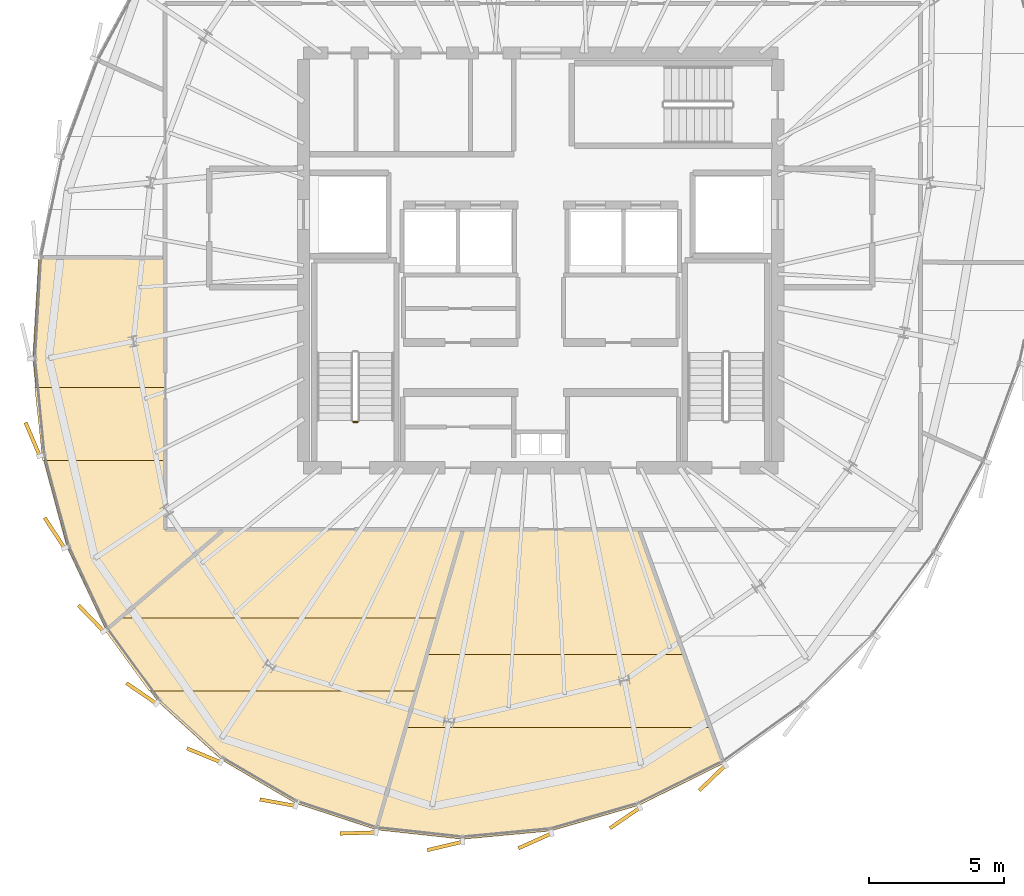
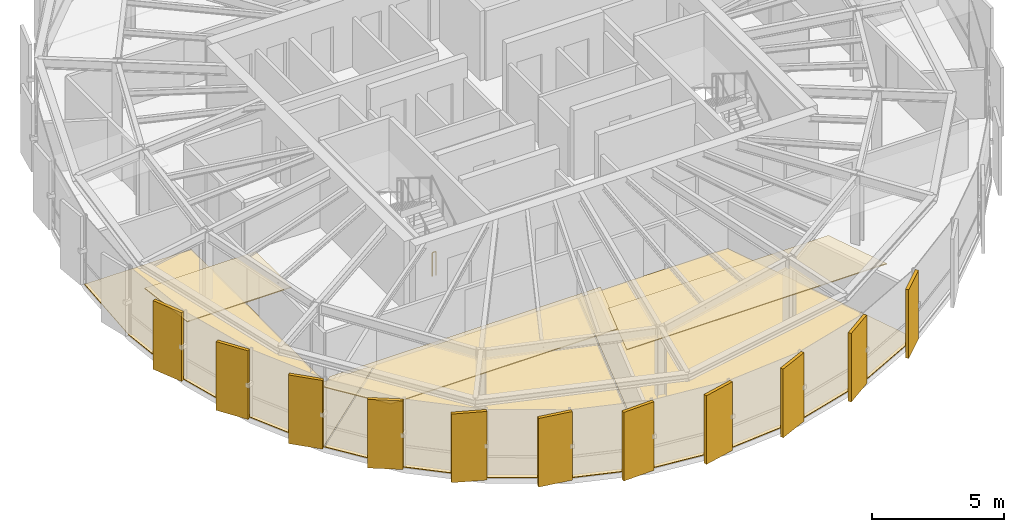
# One storey, part 27 of 30: 17 coverings, 1 railing.
"""IFC4 building model written with IfcOpenShell, lengths in metres."""

from ifc_helpers import new_model, si_unit, direction, frame, origin, origin_2d, place, context, subcontext, project, spatial, polyline, rectangle, circle, outline, extrude, source, transform, mapped, material, layer, layer_set, type_object, element, save


model = new_model("IFC4")

# Units and contexts
model_context = context("Model", 3, precision=1e-05, world=origin(), true_north=direction((0.0, 1.0)))
body_context = subcontext(model_context, "Body", "Model", "MODEL_VIEW")
ifc_project = project(units=[si_unit("LENGTHUNIT", "METRE"), si_unit("AREAUNIT", "SQUARE_METRE"), si_unit("VOLUMEUNIT", "CUBIC_METRE"), si_unit("PLANEANGLEUNIT", "RADIAN"), si_unit("MASSUNIT", "GRAM", prefix="KILO"), si_unit("THERMODYNAMICTEMPERATUREUNIT", "KELVIN")], contexts=[model_context])

# Site, building, storey
site_placement = place(None, origin())
site = spatial("IfcSite", under=ifc_project, at=site_placement, CompositionType="ELEMENT")
building_placement = place(site_placement, origin())
building = spatial("IfcBuilding", under=site, at=building_placement, Name="Kethvar Cultural Tower", CompositionType="ELEMENT")
storey_placement = place(building_placement, frame((0.0, 0.0, 297.39990234375)))
storey = spatial("IfcBuildingStorey", under=building, at=storey_placement, Name="L79", CompositionType="ELEMENT", Elevation=297.39990234375)

# Coverings
ifc_material_1 = material(Name="Acoustic Mineral Fibre Ceiling")
ifc_layer_1 = layer(ifc_material_1, 0.0400390625, Name="Acoustic Mineral Fibre Ceiling")
ifc_layer_set_1 = layer_set([ifc_layer_1], Name="Acoustic Mineral Fibre Ceiling (40 mm)")
covering_type_1 = type_object("IfcCoveringType", Name="CV-ACOUSTIC-CEIL", PredefinedType="CEILING", material=ifc_layer_set_1)
covering_1_placement = place(storey_placement, frame((0.0, 0.0, 2.780029296875)))
element("IfcCovering", 1, at=covering_1_placement, inside=storey, type_object=covering_type_1, Name="L79 Room 01 Acoustic Ceiling Panel", PredefinedType="CEILING", context=body_context, shape_type="SweptSolid", body=[
    extrude(outline(polyline([(30.63427734375, 14.0576171875), (31.15771484375, 14.52685546875), (42.99609375, 14.52685546875), (42.215087890625, 11.81689453125), (32.266357421875, 11.81689453125), (30.63427734375, 14.0576171875)])), origin(), (0.0, 0.0, 1.0), 0.0400390625),
])
covering_2_placement = place(storey_placement, frame((0.0, 0.0, 2.780029296875)))
element("IfcCovering", 2, at=covering_2_placement, inside=storey, type_object=covering_type_1, Name="L79 Room 02 Acoustic Ceiling Panel", PredefinedType="CEILING", context=body_context, shape_type="SweptSolid", body=[
    extrude(outline(polyline([(42.561279296875, 13.1630859375), (52.158203125, 13.1630859375), (53.146240234375, 10.453125), (41.780517578125, 10.453125), (42.561279296875, 13.1630859375)])), origin(), (0.0, 0.0, 1.0), 0.0400390625),
])
covering_3_placement = place(storey_placement, frame((0.0, 0.0, 2.780029296875)))
element("IfcCovering", 3, at=covering_3_placement, inside=storey, type_object=covering_type_1, Name="L79 Room 11 Acoustic Ceiling Panel", PredefinedType="CEILING", context=body_context, shape_type="SweptSolid", body=[
    extrude(outline(polyline([(28.314208984375, 20.370849609375), (28.01953125, 23.080810546875), (32.8701171875, 23.080810546875), (32.8701171875, 20.370849609375), (28.314208984375, 20.370849609375)])), origin(), (0.0, 0.0, 1.0), 0.0400390625),
])
ifc_material_2 = material(Name="Honed Warm Limestone", Category="masonry")
ifc_layer_2 = layer(ifc_material_2, 0.030029296875, Name="Honed Warm Limestone", Category="masonry")
ifc_layer_set_2 = layer_set([ifc_layer_2], Name="Honed Warm Limestone (30 mm)")
covering_type_2 = type_object("IfcCoveringType", Name="CV-STONE-FLOOR", PredefinedType="FLOORING", material=ifc_layer_set_2)
covering_4_placement = place(storey_placement, origin())
element("IfcCovering", 4, at=covering_4_placement, inside=storey, type_object=covering_type_2, Name="L79 Room 01 Floor Finish", PredefinedType="FLOORING", context=body_context, shape_type="SweptSolid", body=[
    extrude(outline(polyline([(37.703857421875, 7.654296875), (34.975341796875, 9.254638671875), (32.606201171875, 11.418212890625), (30.677490234375, 14.066162109375), (35.053955078125, 17.787109375), (43.893798828125, 17.787109375), (40.69091796875, 6.671875), (37.703857421875, 7.654296875)])), origin(), (0.0, 0.0, 1.0), 0.030029296875),
])
covering_5_placement = place(storey_placement, origin())
element("IfcCovering", 5, at=covering_5_placement, inside=storey, type_object=covering_type_2, Name="L79 Room 02 Floor Finish", PredefinedType="FLOORING", context=body_context, shape_type="SweptSolid", body=[
    extrude(outline(polyline([(50.443603515625, 7.57470703125), (47.176513671875, 6.62548828125), (43.8984375, 6.319580078125), (40.72998046875, 6.66357421875), (43.935546875, 17.787109375), (50.4296875, 17.787109375), (53.585693359375, 9.131591796875), (50.443603515625, 7.57470703125)])), origin(), (0.0, 0.0, 1.0), 0.030029296875),
])
covering_6_placement = place(storey_placement, origin())
element("IfcCovering", 6, at=covering_6_placement, inside=storey, type_object=covering_type_2, Name="L79 Room 11 Floor Finish", PredefinedType="FLOORING", context=body_context, shape_type="SweptSolid", body=[
    extrude(outline(polyline([(29.21923828125, 17.157958984375), (28.304931640625, 20.559814453125), (27.95263671875, 24.181884765625), (28.171875, 27.89697265625), (32.830078125, 27.86767578125), (32.830322265625, 17.802978515625), (34.9921875, 17.787109375), (30.657470703125, 14.1015625), (29.21923828125, 17.157958984375)])), origin(), (0.0, 0.0, 1.0), 0.030029296875),
])

# Railing
ifc_material_3 = material(Name="Steel S355J2", Category="steel")
railing_type = type_object("IfcRailingType", Name="RL-STAIR-GUARD", PredefinedType="BALUSTRADE", material=ifc_material_3)
railing_placement = place(storey_placement, frame((40.0, 21.800048828125, 0.0)))
element("IfcRailing", 7, at=railing_placement, inside=storey, type_object=railing_type, Name="L79 ST-01 stair guard 4", PredefinedType="BALUSTRADE", context=body_context, shape_type="SweptSolid", body=[
    extrude(circle(Radius=0.02392578125, at=origin_2d()), frame((0.0, 0.0, 1.09619140625), z_axis=(-1.0, 0.0, 0.0), x_axis=(0.0, -1.0, 0.0)), (0.0, 0.0, 1.0), 0.159912109375),
    extrude(circle(Radius=0.02099609375, at=origin_2d()), origin(), (0.0, 0.0, 1.0), 1.072021484375),
    extrude(circle(Radius=0.02099609375, at=origin_2d()), frame((-0.159912109375, 0.0, 0.0)), (0.0, 0.0, 1.0), 1.072021484375),
])

# Coverings
ifc_material_4 = material(Name="Extruded Architectural Terracotta", Category="masonry")
ifc_layer_3 = layer(ifc_material_4, 0.135009765625, Name="Extruded Architectural Terracotta", Category="masonry")
ifc_layer_set_3 = layer_set([ifc_layer_3], Name="Extruded Architectural Terracotta (135 mm)")
covering_type_3 = type_object("IfcCoveringType", Name="Terracotta Facade Fin FIN-03", PredefinedType="CLADDING", material=ifc_layer_set_3)
shared_shape = source(origin(), body_context, "Body", "SweptSolid", [
    extrude(rectangle(XDim=1.35009765625, YDim=0.135009765625, at=origin_2d()), origin(), (0.0, 0.0, 1.0), 3.169921875),
])
for number, where, z_axis, x_axis, name in (
    (8, (27.94384765625, 21.15673828125, 0.02001953125), (0.0, 0.0, 1.0), (-0.391373666837, 0.920231847366, 0.0), "L79 Vertical Terracotta Fin 3.2"),
    (9, (28.75830078125, 17.681884765625, 0.02001953125), (0.0, 0.0, 1.0), (-0.547563223493, 0.836764313459, 0.0), "L79 Vertical Terracotta Fin 3.3"),
    (10, (30.1162109375, 14.507080078125, 0.02001953125), (0.0, 0.0, 1.0), (-0.695536691165, 0.718490578396, 0.0), "L79 Vertical Terracotta Fin 3.4"),
    (11, (31.980224609375, 11.72705078125, 0.02001953125), (0.0, 0.0, 1.0), (-0.825113498278, 0.564967003425, 0.0), "L79 Vertical Terracotta Fin 3.5"),
    (12, (34.298828125, 9.426513671875, 0.02001953125), (0.0, 0.0, 1.0), (-0.924612528858, 0.380909006823, 0.0), "L79 Vertical Terracotta Fin 3.6"),
    (13, (37.040283203125, 7.66845703125, 0.02001953125), (0.0, 0.0, 1.0), (-0.984164685862, 0.17725651216, 0.0), "L79 Vertical Terracotta Fin 4.1"),
    (14, (40.02099609375, 6.545654296875, 0.02001953125), (0.0, 0.0, 1.0), (-0.999506560366, -0.031410759078, 0.0), "L79 Vertical Terracotta Fin 4.2"),
    (15, (43.248779296875, 6.064208984375, 0.02001953125), (0.0, 0.0, 1.0), (-0.973058285621, -0.230559260896, 0.0), "L79 Vertical Terracotta Fin 4.3"),
    (16, (46.5869140625, 6.252197265625, 0.02001953125), (0.0, 0.0, 1.0), (-0.912120116172, -0.409923033842, 0.0), "L79 Vertical Terracotta Fin 4.4"),
    (17, (49.92919921875, 7.103271484375, 0.02001953125), (0.0, 0.0, 1.0), (-0.825507718546, -0.564390827903, 0.0), "L79 Vertical Terracotta Fin 4.5"),
    (18, (53.17041015625, 8.589111328125, 0.02001953125), (0.0, 0.0, 1.0), (-0.721276845158, -0.692646888854, 0.0), "L79 Vertical Terracotta Fin 4.6"),
):
    element("IfcCovering", number, at=place(storey_placement, frame(where, z_axis=z_axis, x_axis=x_axis)), inside=storey, type_object=covering_type_3, Name=name, PredefinedType="CLADDING", context=body_context, shape_type="MappedRepresentation", body=[
        mapped(shared_shape, transform((0.0, 0.0, 0.0), scale=1.0)),
    ])

save(model, "model.ifc")
